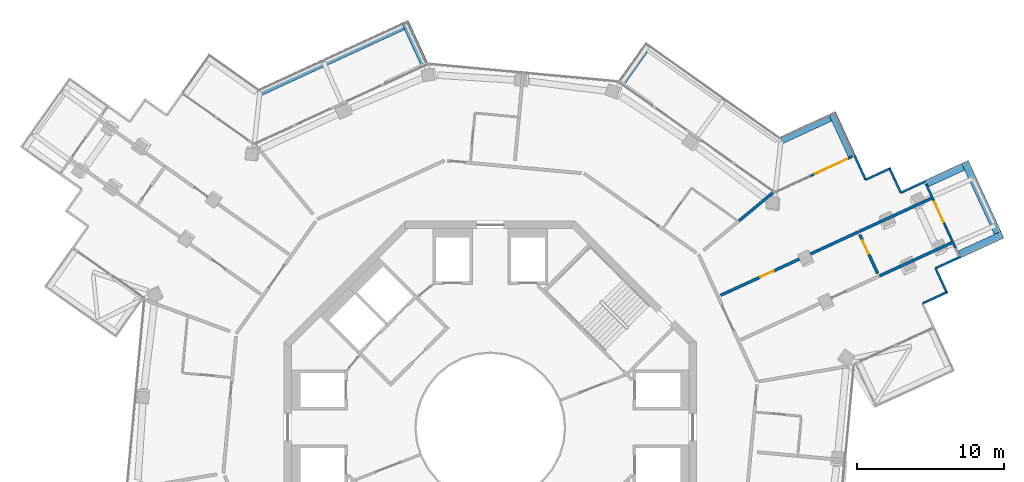
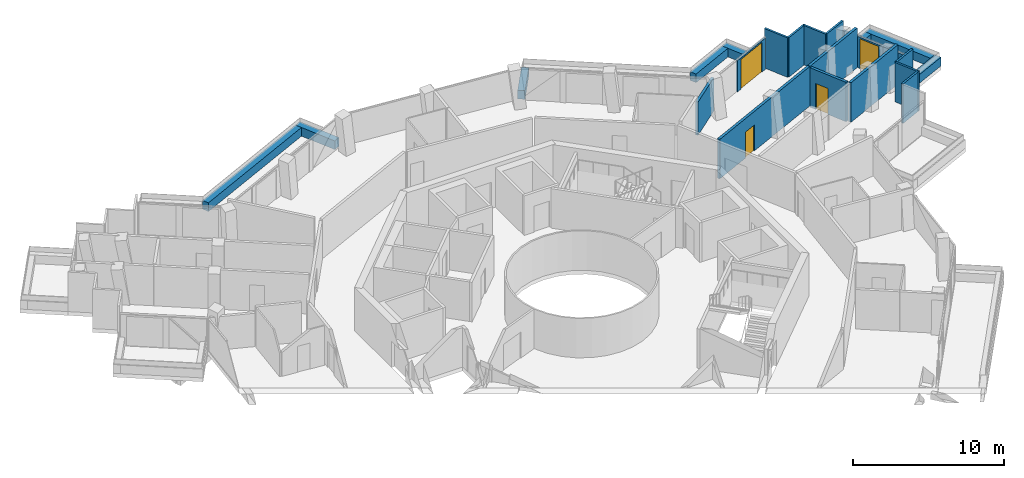
# One storey, part 20 of 23: 23 walls, 4 doors, 4 openings.
"""IFC4 building model written with IfcOpenShell, lengths in metres."""

from ifc_helpers import new_model, si_unit, direction, frame, frame_2d, origin, place, context, subcontext, project, spatial, rectangle, extrude, material, layer, layer_set, type_object, element, fill, save


model = new_model("IFC4")

# Units and contexts
model_context = context("Model", 3, precision=1e-05, world=origin(), true_north=direction((0.0, 1.0)))
body_context = subcontext(model_context, "Body", "Model", "MODEL_VIEW")
ifc_project = project(units=[si_unit("LENGTHUNIT", "METRE"), si_unit("AREAUNIT", "SQUARE_METRE"), si_unit("VOLUMEUNIT", "CUBIC_METRE"), si_unit("PLANEANGLEUNIT", "RADIAN"), si_unit("MASSUNIT", "GRAM", prefix="KILO")], contexts=[model_context])

# Site, building, storey
site_placement = place(None, origin())
site = spatial("IfcSite", under=ifc_project, at=site_placement, CompositionType="ELEMENT")
building_placement = place(site_placement, origin())
building = spatial("IfcBuilding", under=site, at=building_placement, Name="Verdalira Terraces Hotel", CompositionType="ELEMENT")
storey_placement = place(building_placement, frame((0.0, 0.0, 256.0)))
storey = spatial("IfcBuildingStorey", under=building, at=storey_placement, Name="L63", CompositionType="ELEMENT", Elevation=256.0)

# Walls
ifc_material_1 = material(Name="Concrete C40", Category="concrete")
ifc_layer_1 = layer(ifc_material_1, 0.5)
ifc_layer_set_1 = layer_set([ifc_layer_1], Name="Balcony planter trough with tree")
wall_type_1 = type_object("IfcWallType", Name="Balcony planter trough with tree", PredefinedType="SOLIDWALL", material=ifc_layer_set_1)
wall_1_placement = place(storey_placement, frame((31.86084, 11.750488, 0.0), z_axis=(0.0, 0.0, 1.0), x_axis=(0.908356549, 0.41819658, 0.0)))
element("IfcWall", 1, at=wall_1_placement, inside=storey, type_object=wall_type_1, Name="Balcony planter", PredefinedType="SOLIDWALL", context=body_context, shape_type="SweptSolid", body=[
    extrude(rectangle(XDim=3.199219, YDim=0.5, at=frame_2d((1.599609, 0.0))), origin(), (0.0, 0.0, 1.0), 0.699951),
])
wall_2_placement = place(storey_placement, frame((34.435059, 13.210938, 0.0), z_axis=(0.0, 0.0, 1.0), x_axis=(-0.418181616, 0.908363438, 0.0)))
element("IfcWall", 2, at=wall_2_placement, inside=storey, type_object=wall_type_1, Name="Balcony planter", PredefinedType="SOLIDWALL", context=body_context, shape_type="SweptSolid", body=[
    extrude(rectangle(XDim=5.299805, YDim=0.5, at=frame_2d((2.649902, 0.0))), origin(), (0.0, 0.0, 1.0), 0.699951),
])
wall_3_placement = place(storey_placement, frame((32.096191, 17.693604, 0.0), z_axis=(0.0, 0.0, 1.0), x_axis=(-0.908364029, -0.418180333, 0.0)))
element("IfcWall", 3, at=wall_3_placement, inside=storey, type_object=wall_type_1, Name="Balcony planter", PredefinedType="SOLIDWALL", context=body_context, shape_type="SweptSolid", body=[
    extrude(rectangle(XDim=2.698975, YDim=0.5, at=frame_2d((1.349609, 0.0))), origin(), (0.0, 0.0, 1.0), 0.699951),
])
wall_4_placement = place(storey_placement, frame((24.535889, 18.452393, 0.0), z_axis=(0.0, 0.0, 1.0), x_axis=(-0.41813361, 0.908385537, 0.0)))
element("IfcWall", 4, at=wall_4_placement, inside=storey, type_object=wall_type_1, Name="Balcony planter", PredefinedType="SOLIDWALL", context=body_context, shape_type="SweptSolid", body=[
    extrude(rectangle(XDim=3.198975, YDim=0.5, at=frame_2d((1.599609, 0.0))), origin(), (0.0, 0.0, 1.0), 0.699951),
])
wall_5_placement = place(storey_placement, frame((23.075684, 21.026611, 0.0), z_axis=(0.0, 0.0, 1.0), x_axis=(-0.908364393, -0.418179541, 0.0)))
element("IfcWall", 5, at=wall_5_placement, inside=storey, type_object=wall_type_1, Name="Balcony planter", PredefinedType="SOLIDWALL", context=body_context, shape_type="SweptSolid", body=[
    extrude(rectangle(XDim=3.648193, YDim=0.5, at=frame_2d((1.824219, 0.0))), origin(), (0.0, 0.0, 1.0), 0.699951),
])
wall_6_placement = place(storey_placement, frame((10.468262, 25.616943, 0.0), z_axis=(0.0, 0.0, 1.0), x_axis=(-0.577552948, -0.816353227, 0.0)))
element("IfcWall", 6, at=wall_6_placement, inside=storey, type_object=wall_type_1, Name="Balcony planter", PredefinedType="SOLIDWALL", context=body_context, shape_type="SweptSolid", body=[
    extrude(rectangle(XDim=2.698975, YDim=0.5, at=frame_2d((1.349609, 0.0))), origin(), (0.0, 0.0, 1.0), 0.699951),
])
wall_7_placement = place(storey_placement, frame((-4.467529, 24.649902, 0.0), z_axis=(0.0, 0.0, 1.0), x_axis=(-0.418225571, 0.908343202, 0.0)))
element("IfcWall", 7, at=wall_7_placement, inside=storey, type_object=wall_type_1, Name="Balcony planter", PredefinedType="SOLIDWALL", context=body_context, shape_type="SweptSolid", body=[
    extrude(rectangle(XDim=3.198975, YDim=0.5, at=frame_2d((1.599609, 0.0))), origin(), (0.0, 0.0, 1.0), 0.699951),
])
wall_8_placement = place(storey_placement, frame((-5.927979, 27.224121, 0.0), z_axis=(0.0, 0.0, 1.0), x_axis=(-0.908365459, -0.418177226, 0.0)))
element("IfcWall", 8, at=wall_8_placement, inside=storey, type_object=wall_type_1, Name="Balcony planter", PredefinedType="SOLIDWALL", context=body_context, shape_type="SweptSolid", body=[
    extrude(rectangle(XDim=10.652344, YDim=0.5, at=frame_2d((5.326172, 0.0))), origin(), (0.0, 0.0, 1.0), 0.699951),
])

# Wall, opening, door
ifc_material_2 = material(Name="Fire-rated gypsum board wall")
ifc_layer_2 = layer(ifc_material_2, 0.199951171875)
ifc_layer_set_2 = layer_set([ifc_layer_2], Name="Demising wall 200 mm")
wall_type_2 = type_object("IfcWallType", Name="Demising wall 200 mm", PredefinedType="SOLIDWALL", material=ifc_layer_set_2)
wall_9_placement = place(storey_placement, frame((15.639404, 8.972412, 0.0), z_axis=(0.0, 0.0, 1.0), x_axis=(0.908362647, 0.418183336, 0.0)))
wall_9 = element("IfcWall", 9, at=wall_9_placement, inside=storey, type_object=wall_type_2, Name="Demising wall", PredefinedType="SOLIDWALL", context=body_context, shape_type="SweptSolid", body=[
    extrude(rectangle(XDim=10.302002, YDim=0.199951, at=frame_2d((5.150879, 0.0))), origin(), (0.0, 0.0, 1.0), 3.189941),
])
opening_1_placement = place(wall_9_placement, frame((2.949951, 0.0, 0.0)))
opening_1 = element("IfcOpeningElement", 10, at=opening_1_placement, cuts=wall_9, Name="Opening L63-123", PredefinedType="OPENING", context=body_context, shape_type="SweptSolid", body=[
    extrude(rectangle(XDim=1.0, YDim=2.100098, at=frame_2d((0.5, 1.050049))), frame((0.0, 0.109863, 0.0), z_axis=(0.0, -1.0, 0.0), x_axis=(1.0, 0.0, 0.0)), (0.0, 0.0, 1.0), 0.219971),
])
ifc_material_3 = material(Name="Timber fire door", Category="wood")
door_type_1 = type_object("IfcDoorType", Name="Public room door 1000 x 2100", OperationType="NOTDEFINED", PredefinedType="DOOR", material=ifc_material_3)
door_1_placement = place(opening_1_placement, origin())
door_1 = element("IfcDoor", 11, at=door_1_placement, inside=storey, type_object=door_type_1, Name="Public room door 6310", OperationType="SINGLE_SWING_LEFT", OverallHeight=2.10009765625, OverallWidth=1.0, PredefinedType="DOOR", context=body_context, shape_type="SweptSolid", body=[
    extrude(rectangle(XDim=1.0, YDim=2.100098, at=frame_2d((0.5, 1.050049))), frame((0.0, 0.024902, 0.0), z_axis=(0.0, -1.0, 0.0), x_axis=(1.0, 0.0, 0.0)), (0.0, 0.0, 1.0), 0.050049),
])
fill(opening_1, door_1)

wall_10_placement = place(storey_placement, frame((25.079102, 13.0979, 0.0), z_axis=(0.0, 0.0, 1.0), x_axis=(0.418202845, -0.908353665, 0.0)))
wall_10 = element("IfcWall", 12, at=wall_10_placement, inside=storey, type_object=wall_type_2, Name="Demising wall", PredefinedType="SOLIDWALL", context=body_context, shape_type="SweptSolid", body=[
    extrude(rectangle(XDim=2.914795, YDim=0.199951, at=frame_2d((1.45752, 0.0))), origin(), (0.0, 0.0, 1.0), 3.189941),
])
opening_2_placement = place(wall_10_placement, frame((0.449951, 0.0, 0.0)))
opening_2 = element("IfcOpeningElement", 13, at=opening_2_placement, cuts=wall_10, Name="Opening L63-124", PredefinedType="OPENING", context=body_context, shape_type="SweptSolid", body=[
    extrude(rectangle(XDim=1.0, YDim=2.100098, at=frame_2d((0.5, 1.050049))), frame((0.0, 0.109863, 0.0), z_axis=(0.0, -1.0, 0.0), x_axis=(1.0, 0.0, 0.0)), (0.0, 0.0, 1.0), 0.219971),
])
door_2_placement = place(opening_2_placement, origin())
door_2 = element("IfcDoor", 14, at=door_2_placement, inside=storey, type_object=door_type_1, Name="Public room door 6310", OperationType="SINGLE_SWING_LEFT", OverallHeight=2.10009765625, OverallWidth=1.0, PredefinedType="DOOR", context=body_context, shape_type="SweptSolid", body=[
    extrude(rectangle(XDim=1.0, YDim=2.100098, at=frame_2d((0.5, 1.050049))), frame((0.0, 0.024902, 0.0), z_axis=(0.0, -1.0, 0.0), x_axis=(1.0, 0.0, 0.0)), (0.0, 0.0, 1.0), 0.050049),
])
fill(opening_2, door_2)

# Walls
for number, where, z_axis, x_axis, name in (
    (15, (29.942383, 15.556885, 0.0), (0.0, 0.0, 1.0), (-0.908381209, -0.418143013, 0.0), "Demising wall"),
    (16, (26.425293, 10.288818, 0.0), (0.0, 0.0, 1.0), (0.908381209, 0.418143013, 0.0), "Demising wall"),
):
    element("IfcWall", number, at=place(storey_placement, frame(where, z_axis=z_axis, x_axis=x_axis)), inside=storey, type_object=wall_type_2, Name=name, PredefinedType="SOLIDWALL", context=body_context, shape_type="SweptSolid", body=[
        extrude(rectangle(XDim=5.397949, YDim=0.199951, at=frame_2d((2.698975, 0.0))), origin(), (0.0, 0.0, 1.0), 3.189941),
    ])
ifc_material_4 = material(Name="Fire-rated gypsum board wall")
ifc_layer_3 = layer(ifc_material_4, 0.199951171875)
ifc_layer_set_3 = layer_set([ifc_layer_3], Name="Demising wall 200 mm to beam soffit")
wall_type_3 = type_object("IfcWallType", Name="Demising wall 200 mm to beam soffit", PredefinedType="SOLIDWALL", material=ifc_layer_set_3)
wall_11_placement = place(storey_placement, frame((16.885498, 14.028564, 0.0), z_axis=(0.0, 0.0, 1.0), x_axis=(0.76920386, 0.63900346, 0.0)))
element("IfcWall", 17, at=wall_11_placement, inside=storey, type_object=wall_type_3, Name="Demising wall", PredefinedType="SOLIDWALL", context=body_context, shape_type="SweptSolid", body=[
    extrude(rectangle(XDim=3.011475, YDim=0.199951, at=frame_2d((1.505859, 0.0))), origin(), (0.0, 0.0, 1.0), 2.689941),
])
ifc_material_5 = material(Name="Terracotta cladding", Category="masonry")
ifc_layer_4 = layer(ifc_material_5, 0.14990234375)
ifc_layer_set_4 = layer_set([ifc_layer_4], Name="Terracotta clad wall 150")
wall_type_4 = type_object("IfcWallType", Name="Terracotta clad wall 150", PredefinedType="SOLIDWALL", material=ifc_layer_set_4)
wall_12_placement = place(storey_placement, frame((29.347656, 8.419189, 0.0), z_axis=(0.0, 0.0, 1.0), x_axis=(0.908367851, 0.41817203, 0.0)))
element("IfcWall", 18, at=wall_12_placement, inside=storey, type_object=wall_type_4, Name="Terracotta cladding wall", PredefinedType="SOLIDWALL", context=body_context, shape_type="SweptSolid", body=[
    extrude(rectangle(XDim=1.800049, YDim=0.149902, at=frame_2d((0.899902, 0.0))), origin(), (0.0, 0.0, 1.0), 3.189941),
])
wall_13_placement = place(storey_placement, frame((31.01416, 9.10376, 0.0), z_axis=(0.0, 0.0, 1.0), x_axis=(-0.418182826, 0.908362881, 0.0)))
element("IfcWall", 19, at=wall_13_placement, inside=storey, type_object=wall_type_4, Name="Terracotta cladding wall", PredefinedType="SOLIDWALL", context=body_context, shape_type="SweptSolid", body=[
    extrude(rectangle(XDim=1.875244, YDim=0.149902, at=frame_2d((0.9375, 0.0))), origin(), (0.0, 0.0, 1.0), 3.189941),
])
for number, where, z_axis, x_axis, name in (
    (20, (30.22998, 10.807129, 0.0), (0.0, 0.0, 1.0), (0.908389572, 0.418124845, 0.0), "Terracotta cladding wall"),
    (21, (29.570312, 16.723389, 0.0), (0.0, 0.0, 1.0), (-0.908340109, -0.418232287, 0.0), "Terracotta cladding wall"),
):
    element("IfcWall", number, at=place(storey_placement, frame(where, z_axis=z_axis, x_axis=x_axis)), inside=storey, type_object=wall_type_4, Name=name, PredefinedType="SOLIDWALL", context=body_context, shape_type="SweptSolid", body=[
        extrude(rectangle(XDim=1.875, YDim=0.149902, at=frame_2d((0.9375, 0.0))), origin(), (0.0, 0.0, 1.0), 3.189941),
    ])
wall_14_placement = place(storey_placement, frame((27.867188, 15.939209, 0.0), z_axis=(0.0, 0.0, 1.0), x_axis=(-0.41817203, 0.908367851, 0.0)))
element("IfcWall", 22, at=wall_14_placement, inside=storey, type_object=wall_type_4, Name="Terracotta cladding wall", PredefinedType="SOLIDWALL", context=body_context, shape_type="SweptSolid", body=[
    extrude(rectangle(XDim=1.800049, YDim=0.149902, at=frame_2d((0.899902, 0.0))), origin(), (0.0, 0.0, 1.0), 3.189941),
])
for number, where, z_axis, x_axis, name in (
    (23, (27.182617, 17.605713, 0.0), (0.0, 0.0, 1.0), (-0.908340109, -0.418232287, 0.0), "Terracotta cladding wall"),
    (24, (25.479492, 16.821533, 0.0), (0.0, 0.0, 1.0), (-0.418232287, 0.908340109, 0.0), "Terracotta cladding wall"),
):
    element("IfcWall", number, at=place(storey_placement, frame(where, z_axis=z_axis, x_axis=x_axis)), inside=storey, type_object=wall_type_4, Name=name, PredefinedType="SOLIDWALL", context=body_context, shape_type="SweptSolid", body=[
        extrude(rectangle(XDim=1.875, YDim=0.149902, at=frame_2d((0.9375, 0.0))), origin(), (0.0, 0.0, 1.0), 3.189941),
    ])
ifc_material_6 = material(Name="Terracotta cladding", Category="masonry")
ifc_layer_5 = layer(ifc_material_6, 0.14990234375)
ifc_layer_set_5 = layer_set([ifc_layer_5], Name="Terracotta column pier 150")
wall_type_5 = type_object("IfcWallType", Name="Terracotta column pier 150", PredefinedType="SOLIDWALL", material=ifc_layer_set_5)
wall_15_placement = place(storey_placement, frame((31.586914, 12.163818, 0.0), z_axis=(0.0, 0.0, 1.0), x_axis=(-0.418180269, 0.908364058, 0.0)))
element("IfcWall", 25, at=wall_15_placement, inside=storey, type_object=wall_type_5, Name="Terracotta column pier", PredefinedType="SOLIDWALL", context=body_context, shape_type="SweptSolid", body=[
    extrude(rectangle(XDim=1.569824, YDim=0.149902, at=frame_2d((0.784912, 0.0))), origin(), (0.0, 0.0, 1.0), 2.524902),
])

# Wall, opening, door
ifc_material_7 = material(Name="Terracotta cladding", Category="masonry")
ifc_layer_6 = layer(ifc_material_7, 0.14990234375)
ifc_layer_set_6 = layer_set([ifc_layer_6], Name="Terracotta door pier 150")
wall_type_6 = type_object("IfcWallType", Name="Terracotta door pier 150", PredefinedType="SOLIDWALL", material=ifc_layer_set_6)
wall_16_placement = place(storey_placement, frame((30.93042, 13.589844, 0.0), z_axis=(0.0, 0.0, 1.0), x_axis=(-0.418165184, 0.908371003, 0.0)))
wall_16 = element("IfcWall", 26, at=wall_16_placement, inside=storey, type_object=wall_type_6, Name="Terracotta door pier", PredefinedType="SOLIDWALL", context=body_context, shape_type="SweptSolid", body=[
    extrude(rectangle(XDim=3.260254, YDim=0.149902, at=frame_2d((1.630127, 0.0))), origin(), (0.0, 0.0, 1.0), 2.524902),
])
opening_3_placement = place(wall_16_placement, frame((0.399902, 0.0, 0.0)))
opening_3 = element("IfcOpeningElement", 27, at=opening_3_placement, cuts=wall_16, Name="Opening L63-B13", PredefinedType="OPENING", context=body_context, shape_type="SweptSolid", body=[
    extrude(rectangle(XDim=1.5, YDim=2.399902, at=frame_2d((0.75, 1.199951))), frame((0.0, 0.084961, 0.0), z_axis=(0.0, -1.0, 0.0), x_axis=(1.0, 0.0, 0.0)), (0.0, 0.0, 1.0), 0.169922),
])
ifc_material_8 = material(Name="Clear glass", Category="glass")
door_type_2 = type_object("IfcDoorType", Name="Balcony sliding door 1500x2400", OperationType="NOTDEFINED", PredefinedType="DOOR", material=ifc_material_8)
door_3_placement = place(opening_3_placement, origin())
door_3 = element("IfcDoor", 28, at=door_3_placement, inside=storey, type_object=door_type_2, Name="Balcony sliding door", OperationType="SLIDING_TO_RIGHT", OverallHeight=2.39990234375, OverallWidth=1.5, PredefinedType="DOOR", context=body_context, shape_type="SweptSolid", body=[
    extrude(rectangle(XDim=1.5, YDim=2.399902, at=frame_2d((0.75, 1.199951))), frame((0.0, 0.024902, 0.0), z_axis=(0.0, -1.0, 0.0), x_axis=(1.0, 0.0, 0.0)), (0.0, 0.0, 1.0), 0.050049),
])
fill(opening_3, door_3)

wall_17_placement = place(storey_placement, frame((24.594971, 18.395996, 0.0), z_axis=(0.0, 0.0, 1.0), x_axis=(-0.908367596, -0.418172585, 0.0)))
wall_17 = element("IfcWall", 29, at=wall_17_placement, inside=storey, type_object=wall_type_6, Name="Terracotta door pier", PredefinedType="SOLIDWALL", context=body_context, shape_type="SweptSolid", body=[
    extrude(rectangle(XDim=3.199951, YDim=0.149902, at=frame_2d((1.600098, 0.0))), origin(), (0.0, 0.0, 1.0), 2.524902),
])
opening_4_placement = place(wall_17_placement, frame((0.399902, 0.0, 0.0)))
opening_4 = element("IfcOpeningElement", 30, at=opening_4_placement, cuts=wall_17, Name="Opening L63-B14", PredefinedType="OPENING", context=body_context, shape_type="SweptSolid", body=[
    extrude(rectangle(XDim=2.399902, YDim=2.399902, at=frame_2d((1.199951, 1.199951))), frame((0.0, 0.084961, 0.0), z_axis=(0.0, -1.0, 0.0), x_axis=(1.0, 0.0, 0.0)), (0.0, 0.0, 1.0), 0.169922),
])
ifc_material_9 = material(Name="Clear glass", Category="glass")
door_type_3 = type_object("IfcDoorType", Name="Balcony sliding door 2400x2400", OperationType="NOTDEFINED", PredefinedType="DOOR", material=ifc_material_9)
door_4_placement = place(opening_4_placement, origin())
door_4 = element("IfcDoor", 31, at=door_4_placement, inside=storey, type_object=door_type_3, Name="Balcony sliding door", OperationType="SLIDING_TO_LEFT", OverallHeight=2.39990234375, OverallWidth=2.39990234375, PredefinedType="DOOR", context=body_context, shape_type="SweptSolid", body=[
    extrude(rectangle(XDim=2.399902, YDim=2.399902, at=frame_2d((1.199951, 1.199951))), frame((0.0, 0.024902, 0.0), z_axis=(0.0, -1.0, 0.0), x_axis=(1.0, 0.0, 0.0)), (0.0, 0.0, 1.0), 0.050049),
])
fill(opening_4, door_4)

save(model, "model.ifc")
